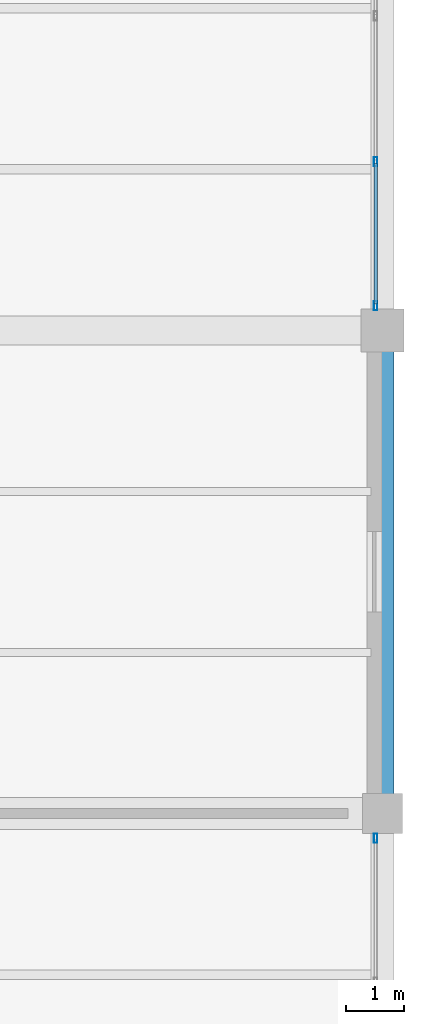
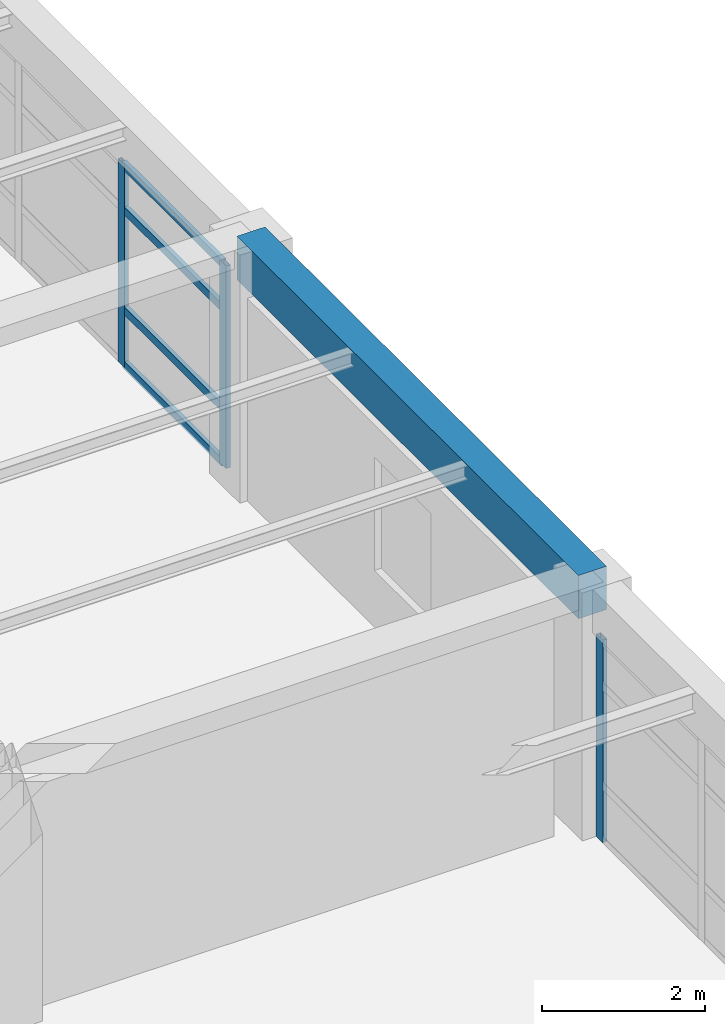
# One storey, part 14 of 26: 7 members, 1 beam, 2 elements without a shape of their own.
"""IFC4 building model written with IfcOpenShell, lengths in metres."""

import ifcopenshell
import ifcopenshell.guid

model = None  # the IFC model being written
_history = None  # IfcOwnerHistory: only IFC2X3 demands one
_inside = {}  # id of a spatial element -> (the spatial element, [elements in it])
_under = {}  # id of a project, library or spatial element -> (it, [spatial elements below it])
_declared = {}  # id of a project -> (the project, [libraries it declares])
_typed = {}  # id of a type object -> (the type object, [elements of that type])
_made_of = {}  # id of a material, layer set ... -> (it, [elements and type objects made of it])


def new_model(schema):
    """Start an empty IFC model of exactly this schema.

    Asked for "IFC4X3", IfcOpenShell would pick the latest addendum, in which some entities
    have other attributes; the version numbers below select the first issue.
    IFC2X3 requires an IfcOwnerHistory on every rooted entity: one is made here for all.
    """
    global model, _history
    if schema == "IFC4X3":
        model = ifcopenshell.file(schema_version=(4, 3, 0, 0))
    else:
        model = ifcopenshell.file(schema=schema)
    _inside.clear()
    _under.clear()
    _declared.clear()
    _typed.clear()
    _made_of.clear()
    _history = None
    if model.schema == "IFC2X3":
        org = make("IfcOrganization", Name="unknown")
        user = make(
            "IfcPersonAndOrganization",
            ThePerson=make("IfcPerson", FamilyName="unknown"),
            TheOrganization=org,
        )
        app = make(
            "IfcApplication",
            ApplicationDeveloper=org,
            Version="unknown",
            ApplicationFullName="unknown",
            ApplicationIdentifier="unknown",
        )
        _history = make(
            "IfcOwnerHistory",
            OwningUser=user,
            OwningApplication=app,
            ChangeAction="ADDED",
            CreationDate=0,
        )
    return model


def make(cls, **values):
    """One entity of the class cls with the attributes given. An attribute that is None is left unset."""
    return model.create_entity(
        cls, **{name: value for name, value in values.items() if value is not None}
    )


def rooted(cls, **values):
    """An entity with a GlobalId (a new one), such as an element, a storey or a relation."""
    return make(cls, GlobalId=ifcopenshell.guid.new(), OwnerHistory=_history, **values)


def si_unit(unit_type, name, prefix=None):
    """IfcSIUnit, for example si_unit("LENGTHUNIT", "METRE", prefix="MILLI")."""
    return make("IfcSIUnit", UnitType=unit_type, Prefix=prefix, Name=name)


def assignment(units):
    """IfcUnitAssignment: the units of a project."""
    return None if units is None else make("IfcUnitAssignment", Units=units)


def point(xyz):
    """IfcCartesianPoint."""
    return None if xyz is None else make("IfcCartesianPoint", Coordinates=xyz)


def direction(xyz):
    """IfcDirection."""
    return None if xyz is None else make("IfcDirection", DirectionRatios=xyz)


def frame(location, z_axis=None, x_axis=None):
    """IfcAxis2Placement3D, a coordinate frame: its origin and axes. An axis left out is left unset."""
    return make(
        "IfcAxis2Placement3D",
        Location=point(location),
        Axis=direction(z_axis),
        RefDirection=direction(x_axis),
    )


def frame_2d(location, x_axis=None):
    """IfcAxis2Placement2D, a coordinate frame in the plane: its origin and x axis."""
    return make(
        "IfcAxis2Placement2D", Location=point(location), RefDirection=direction(x_axis)
    )


def origin():
    """The frame at (0, 0, 0) with its axes left unset."""
    return frame((0.0, 0.0, 0.0))


def origin_2d():
    """The frame at (0, 0) in the plane with its x axis left unset."""
    return frame_2d((0.0, 0.0))


def place(relative_to, where):
    """IfcLocalPlacement: puts the frame where relative to a parent placement (None: the world)."""
    return make(
        "IfcLocalPlacement", PlacementRelTo=relative_to, RelativePlacement=where
    )


def context(
    kind, dimensions, precision=None, world=None, true_north=None, identifier=None
):
    """IfcGeometricRepresentationContext, for example the 3D "Model" context."""
    return make(
        "IfcGeometricRepresentationContext",
        ContextIdentifier=identifier,
        ContextType=kind,
        CoordinateSpaceDimension=dimensions,
        Precision=precision,
        WorldCoordinateSystem=world,
        TrueNorth=true_north,
    )


def subcontext(parent, identifier, kind, view, scale=None):
    """IfcGeometricRepresentationSubContext, for example "Body" below "Model"."""
    return make(
        "IfcGeometricRepresentationSubContext",
        ContextIdentifier=identifier,
        ContextType=kind,
        ParentContext=parent,
        TargetScale=scale,
        TargetView=view,
    )


def project(units=None, contexts=None):
    """IfcProject with its units and contexts."""
    return rooted(
        "IfcProject",
        Name="project",
        RepresentationContexts=contexts,
        UnitsInContext=assignment(units),
    )


def spatial(cls, under=None, at=None, **own):
    """A site, building, storey or space (cls), placed at a placement, below another one or the project."""
    s = rooted(cls, ObjectPlacement=at, **own)
    if under is not None:
        _under.setdefault(under.id(), (under, []))[1].append(s)
    return s


def profile(cls, at=None, kind="AREA", **sizes):
    """A parametric profile (cls). Its sizes go by their IFC names, for example OverallWidth=200.0."""
    return make(cls, ProfileType=kind, Position=at, **sizes)


def rectangle(**sizes):
    """IfcRectangleProfileDef."""
    return profile("IfcRectangleProfileDef", **sizes)


def hollow_rectangle(**sizes):
    """IfcRectangleHollowProfileDef."""
    return profile("IfcRectangleHollowProfileDef", **sizes)


def extrude(swept, where, along, depth):
    """IfcExtrudedAreaSolid: the profile swept, set in the frame where, extruded along a direction by depth."""
    return make(
        "IfcExtrudedAreaSolid",
        SweptArea=swept,
        Position=where,
        ExtrudedDirection=direction(along),
        Depth=depth,
    )


def shape(context_of_items, identifier, shape_type, items):
    """IfcShapeRepresentation: the items that make up one representation, for example the "Body"."""
    return make(
        "IfcShapeRepresentation",
        ContextOfItems=context_of_items,
        RepresentationIdentifier=identifier,
        RepresentationType=shape_type,
        Items=items,
    )


def material(Name=None, Category=None):
    """IfcMaterial."""
    return make("IfcMaterial", Name=Name, Category=Category)


def material_profile(
    of_material, cross_section, Name=None, Category=None, Priority=None
):
    """IfcMaterialProfile: a cross section and its material."""
    return make(
        "IfcMaterialProfile",
        Name=Name,
        Material=of_material,
        Profile=cross_section,
        Priority=Priority,
        Category=Category,
    )


def profile_set(profiles, Name=None, composite=None):
    """IfcMaterialProfileSet."""
    return make(
        "IfcMaterialProfileSet",
        Name=Name,
        MaterialProfiles=profiles,
        CompositeProfile=composite,
    )


def made_of(thing, what):
    """Note that an element or type object is made of a material, layer set ...; save() writes the relation."""
    if what is not None:
        _made_of.setdefault(what.id(), (what, []))[1].append(thing)
    return thing


def type_object(cls, material=None, **own):
    """A type object (cls), such as IfcWallType, which elements share."""
    return made_of(rooted(cls, **own), material)


def element(
    cls,
    number,
    at=None,
    inside=None,
    cuts=None,
    type_object=None,
    material=None,
    context=None,
    identifier="Body",
    shape_type=None,
    held_by="IfcProductDefinitionShape",
    body=None,
    shapes=None,
    **own,
):
    """One element of the class cls, such as IfcWall. Its Tag is "e" and its number.

    at: its placement. inside: the storey or other place that contains it. cuts: it is an
    opening in that element (IfcRelVoidsElement). A single representation is given by context,
    identifier, shape_type and body (its items); several are given by shapes. held_by: the class
    of the entity that holds the representations. save() writes the other relations.
    """
    e = rooted(cls, Tag="e%d" % number, ObjectPlacement=at, **own)
    if body is not None:
        shapes = [shape(context, identifier, shape_type, body)]
    if shapes is not None:
        e.Representation = make(held_by, Representations=shapes)
    if inside is not None:
        _inside.setdefault(inside.id(), (inside, []))[1].append(e)
    if cuts is not None:
        rooted(
            "IfcRelVoidsElement", RelatingBuildingElement=cuts, RelatedOpeningElement=e
        )
    if type_object is not None:
        _typed.setdefault(type_object.id(), (type_object, []))[1].append(e)
    return made_of(e, material)


def aggregate(whole, parts):
    """IfcRelAggregates: a whole, such as a stair, and the parts it consists of."""
    return rooted("IfcRelAggregates", RelatingObject=whole, RelatedObjects=parts)


def save(model, path):
    """Write the relations noted so far, then the file.

    IfcRelAggregates (storeys below a building ...), IfcRelContainedInSpatialStructure (elements
    in a storey), IfcRelDefinesByType, IfcRelAssociatesMaterial and IfcRelDeclares: one each for
    every whole, place, type object, material and project.
    """
    for whole, parts in _under.values():
        aggregate(whole, parts)
    for where, things in _inside.values():
        rooted(
            "IfcRelContainedInSpatialStructure",
            RelatedElements=things,
            RelatingStructure=where,
        )
    for kind, things in _typed.values():
        rooted("IfcRelDefinesByType", RelatedObjects=things, RelatingType=kind)
    for what, things in _made_of.values():
        rooted("IfcRelAssociatesMaterial", RelatedObjects=things, RelatingMaterial=what)
    for by, libraries in _declared.values():
        rooted("IfcRelDeclares", RelatingContext=by, RelatedDefinitions=libraries)
    model.write(path)


model = new_model("IFC4")

# Units and contexts
model_context = context("Model", 3, precision=1e-05, world=origin(), true_north=direction((0.0, 1.0)))
body_context = subcontext(model_context, "Body", "Model", "MODEL_VIEW")
ifc_project = project(units=[si_unit("LENGTHUNIT", "METRE"), si_unit("AREAUNIT", "SQUARE_METRE"), si_unit("VOLUMEUNIT", "CUBIC_METRE"), si_unit("PLANEANGLEUNIT", "RADIAN"), si_unit("MASSUNIT", "GRAM", prefix="KILO")], contexts=[model_context])

# Site, building, storey
site_placement = place(None, origin())
site = spatial("IfcSite", under=ifc_project, at=site_placement, CompositionType="ELEMENT")
building_placement = place(site_placement, origin())
building = spatial("IfcBuilding", under=site, at=building_placement, Name="Almacenes y Pasaje Nevantli", CompositionType="ELEMENT")
storey_placement = place(building_placement, frame((0.0, 0.0, 30.699951171875)))
storey = spatial("IfcBuildingStorey", under=building, at=storey_placement, Name="L07", CompositionType="ELEMENT", Elevation=30.699951171875)

# Beam
ifc_material_1 = material(Name="Concrete C35/45", Category="concrete")
ifc_material_profile_1 = material_profile(ifc_material_1, rectangle(XDim=0.39990234375, YDim=0.64990234375, at=origin_2d()), Name="RC-BM-400x650")
ifc_profile_set_1 = profile_set([ifc_material_profile_1], Name="Concrete C35/45")
beam_type = type_object("IfcBeamType", Name="BM-RC-400x650", PredefinedType="SPANDREL", material=ifc_profile_set_1)
beam_placement = place(storey_placement, frame((159.60009765625, 84.0, 3.39501953125), z_axis=(0.0, 1.0, 0.0), x_axis=(-1.0, 0.0, 0.0)))
element("IfcBeam", 1, at=beam_placement, inside=storey, type_object=beam_type, Name="L07 North-South Reinforced Concrete Beam #3683", PredefinedType="SPANDREL", context=body_context, shape_type="SweptSolid", body=[
    extrude(rectangle(XDim=0.39990234375, YDim=0.64990234375, at=origin_2d()), origin(), (0.0, 0.0, 1.0), 8.39990234375),
])

# Curtain wall, member
ifc_material_2 = material(Name="Thermally Broken Aluminium and Low-E Glass", Category="aluminium")
curtain_wall_type = type_object("IfcCurtainWallType", Name="CW-UNIT-TOWER", PredefinedType="USERDEFINED", material=ifc_material_2)
curtain_wall_1_placement = place(storey_placement, origin())
curtain_wall_1 = element("IfcCurtainWall", 2, at=curtain_wall_1_placement, inside=storey, type_object=curtain_wall_type, Name="L07 Tower East Curtain Wall Bay 10", ObjectType="UNITIZED CURTAIN WALL", PredefinedType="USERDEFINED")
ifc_material_3 = material(Name="Thermally Broken Anodized Aluminium", Category="aluminium")
ifc_material_profile_2 = material_profile(ifc_material_3, hollow_rectangle(XDim=0.06005859375, YDim=0.159912109375, WallThickness=0.00390625, at=origin_2d()), Name="ALU-MUL-60x160")
ifc_profile_set_2 = profile_set([ifc_material_profile_2], Name="Thermally Broken Anodized Aluminium")
member_type_1 = type_object("IfcMemberType", Name="CW-MUL-180", PredefinedType="MULLION", material=ifc_profile_set_2)
member_1_placement = place(storey_placement, frame((159.47998046875, 83.570068359375, 0.0), z_axis=(0.0, 0.0, 1.0), x_axis=(-1.0, 0.0, 0.0)))
member_1 = element("IfcMember", 3, at=member_1_placement, type_object=member_type_1, Name="CW-L07-118 mullion 4", PredefinedType="MULLION", context=body_context, shape_type="SweptSolid", body=[
    extrude(hollow_rectangle(XDim=0.06005859375, YDim=0.159912109375, WallThickness=0.00390625, at=origin_2d()), origin(), (0.0, 0.0, 1.0), 3.0400390625),
])
aggregate(curtain_wall_1, [member_1])

# Curtain wall, members
curtain_wall_2_placement = place(storey_placement, origin())
curtain_wall_2 = element("IfcCurtainWall", 4, at=curtain_wall_2_placement, inside=storey, type_object=curtain_wall_type, Name="L07 Tower East Curtain Wall Bay 12", ObjectType="UNITIZED CURTAIN WALL", PredefinedType="USERDEFINED")
member_2_placement = place(storey_placement, frame((159.47998046875, 92.830078125, 0.0), z_axis=(0.0, 0.0, 1.0), x_axis=(-1.0, 0.0, 0.0)))
member_2 = element("IfcMember", 5, at=member_2_placement, type_object=member_type_1, Name="CW-L07-120 mullion 1", PredefinedType="MULLION", context=body_context, shape_type="SweptSolid", body=[
    extrude(hollow_rectangle(XDim=0.06005859375, YDim=0.159912109375, WallThickness=0.00390625, at=origin_2d()), origin(), (0.0, 0.0, 1.0), 3.0400390625),
])
member_3_placement = place(storey_placement, frame((159.47998046875, 95.333251953125, 0.0), z_axis=(0.0, 0.0, 1.0), x_axis=(-1.0, 0.0, 0.0)))
member_3 = element("IfcMember", 6, at=member_3_placement, type_object=member_type_1, Name="CW-L07-120 mullion 2", PredefinedType="MULLION", context=body_context, shape_type="SweptSolid", body=[
    extrude(hollow_rectangle(XDim=0.06005859375, YDim=0.159912109375, WallThickness=0.00390625, at=origin_2d()), origin(), (0.0, 0.0, 1.0), 3.0400390625),
])
ifc_material_4 = material(Name="Thermally Broken Anodized Aluminium", Category="aluminium")
ifc_material_profile_3 = material_profile(ifc_material_4, hollow_rectangle(XDim=0.06005859375, YDim=0.1201171875, WallThickness=0.00341796875, at=origin_2d()), Name="ALU-TRN-60x120")
ifc_profile_set_3 = profile_set([ifc_material_profile_3], Name="Thermally Broken Anodized Aluminium")
member_type_2 = type_object("IfcMemberType", Name="CW-TRN-130", PredefinedType="USERDEFINED", material=ifc_profile_set_3)
member_4_placement = place(storey_placement, frame((159.47998046875, 92.860107421875, 0.030029296875), z_axis=(0.0, 1.0, 0.0), x_axis=(-1.0, 0.0, 0.0)))
member_4 = element("IfcMember", 7, at=member_4_placement, type_object=member_type_2, Name="CW-L07-120 transom 1.1", ObjectType="TRANSOM", PredefinedType="USERDEFINED", context=body_context, shape_type="SweptSolid", body=[
    extrude(hollow_rectangle(XDim=0.06005859375, YDim=0.1201171875, WallThickness=0.00341796875, at=origin_2d()), origin(), (0.0, 0.0, 1.0), 2.443115234375),
])
member_5_placement = place(storey_placement, frame((159.47998046875, 92.860107421875, 0.85009765625), z_axis=(0.0, 1.0, 0.0), x_axis=(-1.0, 0.0, 0.0)))
member_5 = element("IfcMember", 8, at=member_5_placement, type_object=member_type_2, Name="CW-L07-120 transom 1.2", ObjectType="TRANSOM", PredefinedType="USERDEFINED", context=body_context, shape_type="SweptSolid", body=[
    extrude(hollow_rectangle(XDim=0.06005859375, YDim=0.1201171875, WallThickness=0.00341796875, at=origin_2d()), origin(), (0.0, 0.0, 1.0), 2.443115234375),
])
member_6_placement = place(storey_placement, frame((159.47998046875, 92.860107421875, 2.35009765625), z_axis=(0.0, 1.0, 0.0), x_axis=(-1.0, 0.0, 0.0)))
member_6 = element("IfcMember", 9, at=member_6_placement, type_object=member_type_2, Name="CW-L07-120 transom 1.3", ObjectType="TRANSOM", PredefinedType="USERDEFINED", context=body_context, shape_type="SweptSolid", body=[
    extrude(hollow_rectangle(XDim=0.06005859375, YDim=0.1201171875, WallThickness=0.00341796875, at=origin_2d()), origin(), (0.0, 0.0, 1.0), 2.443115234375),
])
member_7_placement = place(storey_placement, frame((159.47998046875, 92.860107421875, 3.010009765625), z_axis=(0.0, 1.0, 0.0), x_axis=(-1.0, 0.0, 0.0)))
member_7 = element("IfcMember", 10, at=member_7_placement, type_object=member_type_2, Name="CW-L07-120 transom 1.4", ObjectType="TRANSOM", PredefinedType="USERDEFINED", context=body_context, shape_type="SweptSolid", body=[
    extrude(hollow_rectangle(XDim=0.06005859375, YDim=0.1201171875, WallThickness=0.00341796875, at=origin_2d()), origin(), (0.0, 0.0, 1.0), 2.443115234375),
])
aggregate(curtain_wall_2, [member_2, member_3, member_4, member_5, member_6, member_7])

save(model, "model.ifc")
